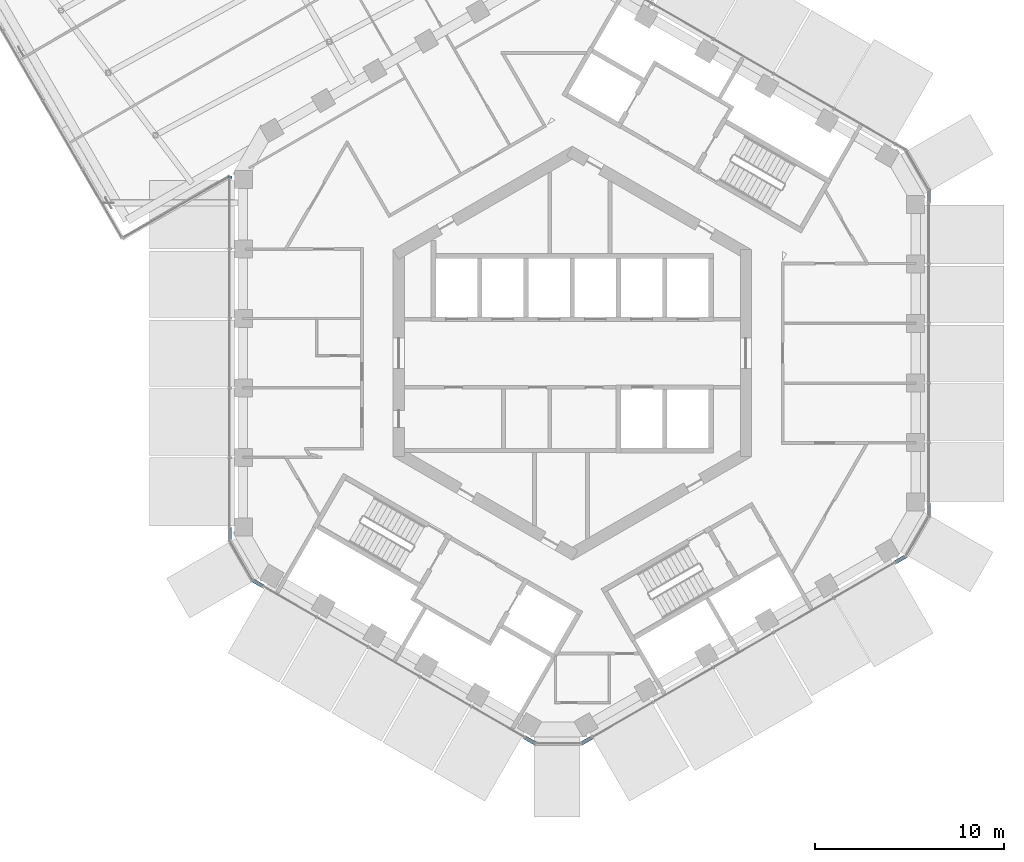
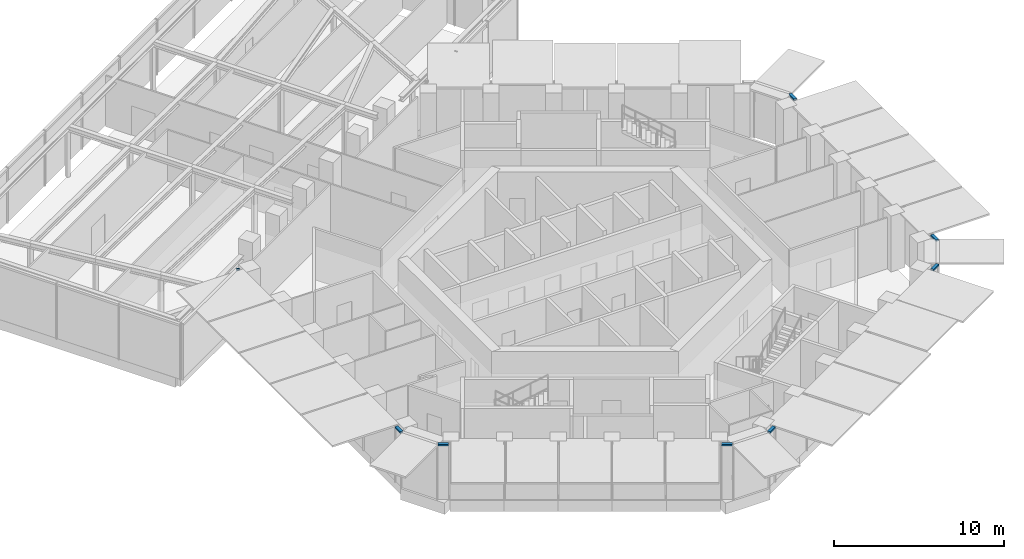
# One storey, part 10 of 27: 8 members, 5 elements without a shape of their own.
"""IFC4 building model written with IfcOpenShell, lengths in metres."""

from ifc_helpers import new_model, si_unit, direction, frame, origin, origin_2d, place, context, subcontext, project, spatial, rectangle, extrude, material, layer, layer_set, material_profile, profile_set, type_object, element, aggregate, save


model = new_model("IFC4")

# Units and contexts
model_context = context("Model", 3, precision=1e-05, world=origin(), true_north=direction((0.0, 1.0)))
body_context = subcontext(model_context, "Body", "Model", "MODEL_VIEW")
ifc_project = project(units=[si_unit("LENGTHUNIT", "METRE"), si_unit("AREAUNIT", "SQUARE_METRE"), si_unit("VOLUMEUNIT", "CUBIC_METRE"), si_unit("PLANEANGLEUNIT", "RADIAN"), si_unit("MASSUNIT", "GRAM", prefix="KILO")], contexts=[model_context])

# Site, building, storey
site_placement = place(None, origin())
site = spatial("IfcSite", under=ifc_project, at=site_placement, CompositionType="ELEMENT")
building_placement = place(site_placement, origin())
building = spatial("IfcBuilding", under=site, at=building_placement, Name="Ayvan Gate Tower", CompositionType="ELEMENT")
storey_placement = place(building_placement, frame((0.0, 0.0, 194.699951171875)))
storey = spatial("IfcBuildingStorey", under=building, at=storey_placement, Name="L52", CompositionType="ELEMENT", Elevation=194.699951171875)

# Curtain wall, members
ifc_material = material(Name="Bronze anodised aluminium", Category="aluminium")
ifc_layer = layer(ifc_material, 0.199951171875)
ifc_layer_set = layer_set([ifc_layer], Name="Bronze anodised aluminium")
curtain_wall_type = type_object("IfcCurtainWallType", Name="Stick curtain wall CW-6", PredefinedType="NOTDEFINED", material=ifc_layer_set)
curtain_wall_1_placement = place(storey_placement, origin())
curtain_wall_1 = element("IfcCurtainWall", 1, at=curtain_wall_1_placement, inside=storey, type_object=curtain_wall_type, Name="Stick curtain wall CW-6 L52", PredefinedType="NOTDEFINED")
ifc_material_profile = material_profile(ifc_material, rectangle(XDim=0.199951171875, YDim=0.1201171875, at=origin_2d()), Name="Stick curtain wall CW-6 transom 200 x 120")
ifc_profile_set = profile_set([ifc_material_profile], Name="Bronze anodised aluminium")
member_type = type_object("IfcMemberType", Name="Stick curtain wall CW-6 transom 200 x 120", PredefinedType="USERDEFINED", material=ifc_profile_set)
member_1_placement = place(storey_placement, frame((-18.1533203125, -9.283447265625, 3.93994140625), z_axis=(0.0, -1.0, 0.0), x_axis=(1.0, 0.0, 0.0)))
member_1 = element("IfcMember", 2, at=member_1_placement, type_object=member_type, Name="CW-6 transom 1", ObjectType="TRANSOM", PredefinedType="USERDEFINED", context=body_context, shape_type="SweptSolid", body=[
    extrude(rectangle(XDim=0.199951171875, YDim=0.1201171875, at=origin_2d()), origin(), (0.0, 0.0, 1.0), 0.625),
])
member_2_placement = place(storey_placement, frame((-16.924560546875, -12.036865234375, 3.93994140625), z_axis=(0.866022959057, -0.500004234368, 0.0), x_axis=(0.500004234368, 0.866022959057, 0.0)))
member_2 = element("IfcMember", 3, at=member_2_placement, type_object=member_type, Name="CW-6 transom 3", ObjectType="TRANSOM", PredefinedType="USERDEFINED", context=body_context, shape_type="SweptSolid", body=[
    extrude(rectangle(XDim=0.199951171875, YDim=0.1201171875, at=origin_2d()), origin(), (0.0, 0.0, 1.0), 0.625),
])
aggregate(curtain_wall_1, [member_1, member_2])

curtain_wall_2_placement = place(storey_placement, origin())
curtain_wall_2 = element("IfcCurtainWall", 4, at=curtain_wall_2_placement, inside=storey, type_object=curtain_wall_type, Name="Stick curtain wall CW-6 L52", PredefinedType="NOTDEFINED")
member_3_placement = place(storey_placement, frame((-2.50341796875, -20.363037109375, 3.93994140625), z_axis=(0.866022959057, -0.500004234368, 0.0), x_axis=(0.500004234368, 0.866022959057, 0.0)))
member_3 = element("IfcMember", 5, at=member_3_placement, type_object=member_type, Name="CW-6 transom 1", ObjectType="TRANSOM", PredefinedType="USERDEFINED", context=body_context, shape_type="SweptSolid", body=[
    extrude(rectangle(XDim=0.199951171875, YDim=0.1201171875, at=origin_2d()), origin(), (0.0, 0.0, 1.0), 0.625),
])
member_4_placement = place(storey_placement, frame((0.495849609375, -20.675537109375, 3.93994140625), z_axis=(0.866022959057, 0.500004234368, 0.0), x_axis=(-0.500004234368, 0.866022959057, 0.0)))
member_4 = element("IfcMember", 6, at=member_4_placement, type_object=member_type, Name="CW-6 transom 3", ObjectType="TRANSOM", PredefinedType="USERDEFINED", context=body_context, shape_type="SweptSolid", body=[
    extrude(rectangle(XDim=0.199951171875, YDim=0.1201171875, at=origin_2d()), origin(), (0.0, 0.0, 1.0), 0.625),
])
aggregate(curtain_wall_2, [member_3, member_4])

curtain_wall_3_placement = place(storey_placement, origin())
curtain_wall_3 = element("IfcCurtainWall", 7, at=curtain_wall_3_placement, inside=storey, type_object=curtain_wall_type, Name="Stick curtain wall CW-6 L52", PredefinedType="NOTDEFINED")
member_5_placement = place(storey_placement, frame((17.116455078125, -11.07958984375, 3.93994140625), z_axis=(0.866022959057, 0.500004234368, 0.0), x_axis=(-0.500004234368, 0.866022959057, 0.0)))
member_5 = element("IfcMember", 8, at=member_5_placement, type_object=member_type, Name="CW-6 transom 1", ObjectType="TRANSOM", PredefinedType="USERDEFINED", context=body_context, shape_type="SweptSolid", body=[
    extrude(rectangle(XDim=0.199951171875, YDim=0.1201171875, at=origin_2d()), origin(), (0.0, 0.0, 1.0), 0.625),
])
member_6_placement = place(storey_placement, frame((18.886474609375, -8.638671875, 3.93994140625), z_axis=(0.0, 1.0, 0.0), x_axis=(-1.0, 0.0, 0.0)))
member_6 = element("IfcMember", 9, at=member_6_placement, type_object=member_type, Name="CW-6 transom 3", ObjectType="TRANSOM", PredefinedType="USERDEFINED", context=body_context, shape_type="SweptSolid", body=[
    extrude(rectangle(XDim=0.199951171875, YDim=0.1201171875, at=origin_2d()), origin(), (0.0, 0.0, 1.0), 0.625),
])
aggregate(curtain_wall_3, [member_5, member_6])

# Curtain wall, member
curtain_wall_4_placement = place(storey_placement, origin())
curtain_wall_4 = element("IfcCurtainWall", 10, at=curtain_wall_4_placement, inside=storey, type_object=curtain_wall_type, Name="Stick curtain wall CW-6 L52", PredefinedType="NOTDEFINED")
member_7_placement = place(storey_placement, frame((18.886474609375, 8.013671875, 3.93994140625), z_axis=(0.0, 1.0, 0.0), x_axis=(-1.0, 0.0, 0.0)))
member_7 = element("IfcMember", 11, at=member_7_placement, type_object=member_type, Name="CW-6 transom 1", ObjectType="TRANSOM", PredefinedType="USERDEFINED", context=body_context, shape_type="SweptSolid", body=[
    extrude(rectangle(XDim=0.199951171875, YDim=0.1201171875, at=origin_2d()), origin(), (0.0, 0.0, 1.0), 0.625),
])
aggregate(curtain_wall_4, [member_7])

curtain_wall_5_placement = place(storey_placement, origin())
curtain_wall_5 = element("IfcCurtainWall", 12, at=curtain_wall_5_placement, inside=storey, type_object=curtain_wall_type, Name="Stick curtain wall CW-6 L52", PredefinedType="NOTDEFINED")
member_8_placement = place(storey_placement, frame((-18.127685546875, 9.379150390625, 3.93994140625), z_axis=(-0.258736085224, -0.965948051503, 0.0), x_axis=(0.965948051503, -0.258736085224, 0.0)))
member_8 = element("IfcMember", 13, at=member_8_placement, type_object=member_type, Name="CW-6 transom 1", ObjectType="TRANSOM", PredefinedType="USERDEFINED", context=body_context, shape_type="SweptSolid", body=[
    extrude(rectangle(XDim=0.199951171875, YDim=0.1201171875, at=origin_2d()), origin(), (0.0, 0.0, 1.0), 0.09912109375),
])
aggregate(curtain_wall_5, [member_8])

save(model, "model.ifc")
